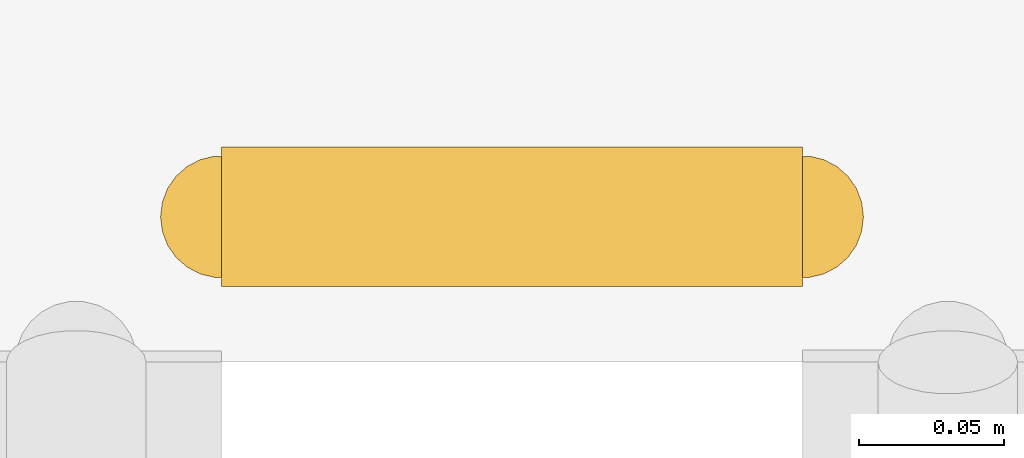
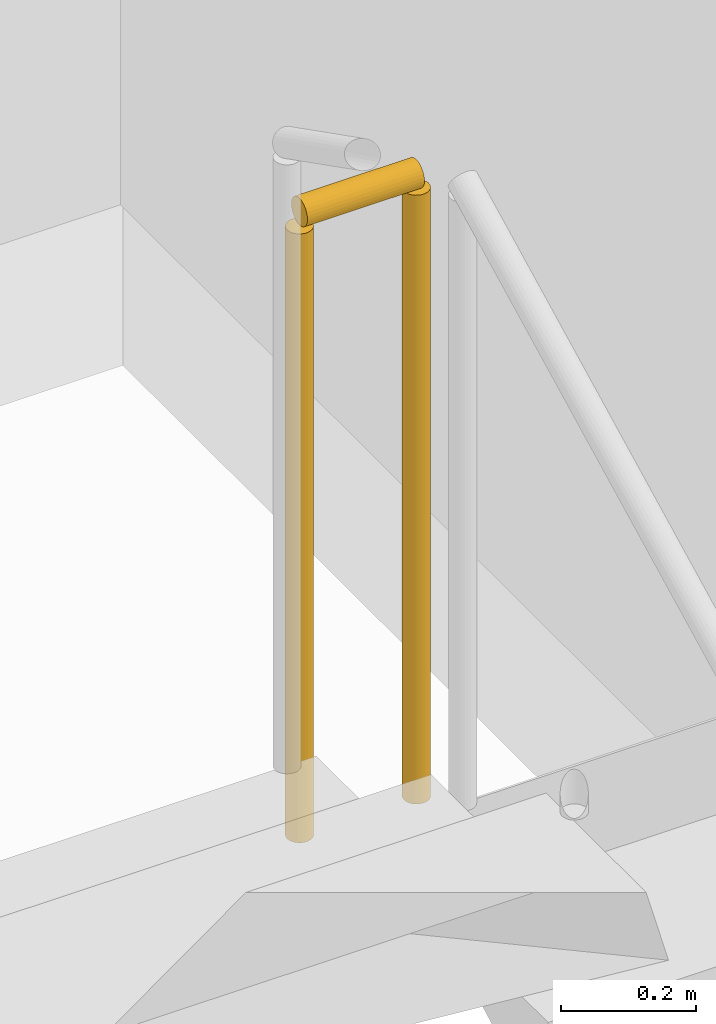
# One storey, part 30 of 31: 1 railing.
"""IFC4 building model written with IfcOpenShell, lengths in metres."""

import ifcopenshell
import ifcopenshell.guid

model = None  # the IFC model being written
_history = None  # IfcOwnerHistory: only IFC2X3 demands one
_inside = {}  # id of a spatial element -> (the spatial element, [elements in it])
_under = {}  # id of a project, library or spatial element -> (it, [spatial elements below it])
_declared = {}  # id of a project -> (the project, [libraries it declares])
_typed = {}  # id of a type object -> (the type object, [elements of that type])
_made_of = {}  # id of a material, layer set ... -> (it, [elements and type objects made of it])


def new_model(schema):
    """Start an empty IFC model of exactly this schema.

    Asked for "IFC4X3", IfcOpenShell would pick the latest addendum, in which some entities
    have other attributes; the version numbers below select the first issue.
    IFC2X3 requires an IfcOwnerHistory on every rooted entity: one is made here for all.
    """
    global model, _history
    if schema == "IFC4X3":
        model = ifcopenshell.file(schema_version=(4, 3, 0, 0))
    else:
        model = ifcopenshell.file(schema=schema)
    _inside.clear()
    _under.clear()
    _declared.clear()
    _typed.clear()
    _made_of.clear()
    _history = None
    if model.schema == "IFC2X3":
        org = make("IfcOrganization", Name="unknown")
        user = make(
            "IfcPersonAndOrganization",
            ThePerson=make("IfcPerson", FamilyName="unknown"),
            TheOrganization=org,
        )
        app = make(
            "IfcApplication",
            ApplicationDeveloper=org,
            Version="unknown",
            ApplicationFullName="unknown",
            ApplicationIdentifier="unknown",
        )
        _history = make(
            "IfcOwnerHistory",
            OwningUser=user,
            OwningApplication=app,
            ChangeAction="ADDED",
            CreationDate=0,
        )
    return model


def make(cls, **values):
    """One entity of the class cls with the attributes given. An attribute that is None is left unset."""
    return model.create_entity(
        cls, **{name: value for name, value in values.items() if value is not None}
    )


def rooted(cls, **values):
    """An entity with a GlobalId (a new one), such as an element, a storey or a relation."""
    return make(cls, GlobalId=ifcopenshell.guid.new(), OwnerHistory=_history, **values)


def si_unit(unit_type, name, prefix=None):
    """IfcSIUnit, for example si_unit("LENGTHUNIT", "METRE", prefix="MILLI")."""
    return make("IfcSIUnit", UnitType=unit_type, Prefix=prefix, Name=name)


def assignment(units):
    """IfcUnitAssignment: the units of a project."""
    return None if units is None else make("IfcUnitAssignment", Units=units)


def point(xyz):
    """IfcCartesianPoint."""
    return None if xyz is None else make("IfcCartesianPoint", Coordinates=xyz)


def direction(xyz):
    """IfcDirection."""
    return None if xyz is None else make("IfcDirection", DirectionRatios=xyz)


def frame(location, z_axis=None, x_axis=None):
    """IfcAxis2Placement3D, a coordinate frame: its origin and axes. An axis left out is left unset."""
    return make(
        "IfcAxis2Placement3D",
        Location=point(location),
        Axis=direction(z_axis),
        RefDirection=direction(x_axis),
    )


def frame_2d(location, x_axis=None):
    """IfcAxis2Placement2D, a coordinate frame in the plane: its origin and x axis."""
    return make(
        "IfcAxis2Placement2D", Location=point(location), RefDirection=direction(x_axis)
    )


def origin():
    """The frame at (0, 0, 0) with its axes left unset."""
    return frame((0.0, 0.0, 0.0))


def origin_2d():
    """The frame at (0, 0) in the plane with its x axis left unset."""
    return frame_2d((0.0, 0.0))


def place(relative_to, where):
    """IfcLocalPlacement: puts the frame where relative to a parent placement (None: the world)."""
    return make(
        "IfcLocalPlacement", PlacementRelTo=relative_to, RelativePlacement=where
    )


def context(
    kind, dimensions, precision=None, world=None, true_north=None, identifier=None
):
    """IfcGeometricRepresentationContext, for example the 3D "Model" context."""
    return make(
        "IfcGeometricRepresentationContext",
        ContextIdentifier=identifier,
        ContextType=kind,
        CoordinateSpaceDimension=dimensions,
        Precision=precision,
        WorldCoordinateSystem=world,
        TrueNorth=true_north,
    )


def subcontext(parent, identifier, kind, view, scale=None):
    """IfcGeometricRepresentationSubContext, for example "Body" below "Model"."""
    return make(
        "IfcGeometricRepresentationSubContext",
        ContextIdentifier=identifier,
        ContextType=kind,
        ParentContext=parent,
        TargetScale=scale,
        TargetView=view,
    )


def project(units=None, contexts=None):
    """IfcProject with its units and contexts."""
    return rooted(
        "IfcProject",
        Name="project",
        RepresentationContexts=contexts,
        UnitsInContext=assignment(units),
    )


def spatial(cls, under=None, at=None, **own):
    """A site, building, storey or space (cls), placed at a placement, below another one or the project."""
    s = rooted(cls, ObjectPlacement=at, **own)
    if under is not None:
        _under.setdefault(under.id(), (under, []))[1].append(s)
    return s


def profile(cls, at=None, kind="AREA", **sizes):
    """A parametric profile (cls). Its sizes go by their IFC names, for example OverallWidth=200.0."""
    return make(cls, ProfileType=kind, Position=at, **sizes)


def circle(**sizes):
    """IfcCircleProfileDef."""
    return profile("IfcCircleProfileDef", **sizes)


def extrude(swept, where, along, depth):
    """IfcExtrudedAreaSolid: the profile swept, set in the frame where, extruded along a direction by depth."""
    return make(
        "IfcExtrudedAreaSolid",
        SweptArea=swept,
        Position=where,
        ExtrudedDirection=direction(along),
        Depth=depth,
    )


def shape(context_of_items, identifier, shape_type, items):
    """IfcShapeRepresentation: the items that make up one representation, for example the "Body"."""
    return make(
        "IfcShapeRepresentation",
        ContextOfItems=context_of_items,
        RepresentationIdentifier=identifier,
        RepresentationType=shape_type,
        Items=items,
    )


def material(Name=None, Category=None):
    """IfcMaterial."""
    return make("IfcMaterial", Name=Name, Category=Category)


def made_of(thing, what):
    """Note that an element or type object is made of a material, layer set ...; save() writes the relation."""
    if what is not None:
        _made_of.setdefault(what.id(), (what, []))[1].append(thing)
    return thing


def type_object(cls, material=None, **own):
    """A type object (cls), such as IfcWallType, which elements share."""
    return made_of(rooted(cls, **own), material)


def element(
    cls,
    number,
    at=None,
    inside=None,
    cuts=None,
    type_object=None,
    material=None,
    context=None,
    identifier="Body",
    shape_type=None,
    held_by="IfcProductDefinitionShape",
    body=None,
    shapes=None,
    **own,
):
    """One element of the class cls, such as IfcWall. Its Tag is "e" and its number.

    at: its placement. inside: the storey or other place that contains it. cuts: it is an
    opening in that element (IfcRelVoidsElement). A single representation is given by context,
    identifier, shape_type and body (its items); several are given by shapes. held_by: the class
    of the entity that holds the representations. save() writes the other relations.
    """
    e = rooted(cls, Tag="e%d" % number, ObjectPlacement=at, **own)
    if body is not None:
        shapes = [shape(context, identifier, shape_type, body)]
    if shapes is not None:
        e.Representation = make(held_by, Representations=shapes)
    if inside is not None:
        _inside.setdefault(inside.id(), (inside, []))[1].append(e)
    if cuts is not None:
        rooted(
            "IfcRelVoidsElement", RelatingBuildingElement=cuts, RelatedOpeningElement=e
        )
    if type_object is not None:
        _typed.setdefault(type_object.id(), (type_object, []))[1].append(e)
    return made_of(e, material)


def aggregate(whole, parts):
    """IfcRelAggregates: a whole, such as a stair, and the parts it consists of."""
    return rooted("IfcRelAggregates", RelatingObject=whole, RelatedObjects=parts)


def save(model, path):
    """Write the relations noted so far, then the file.

    IfcRelAggregates (storeys below a building ...), IfcRelContainedInSpatialStructure (elements
    in a storey), IfcRelDefinesByType, IfcRelAssociatesMaterial and IfcRelDeclares: one each for
    every whole, place, type object, material and project.
    """
    for whole, parts in _under.values():
        aggregate(whole, parts)
    for where, things in _inside.values():
        rooted(
            "IfcRelContainedInSpatialStructure",
            RelatedElements=things,
            RelatingStructure=where,
        )
    for kind, things in _typed.values():
        rooted("IfcRelDefinesByType", RelatedObjects=things, RelatingType=kind)
    for what, things in _made_of.values():
        rooted("IfcRelAssociatesMaterial", RelatedObjects=things, RelatingMaterial=what)
    for by, libraries in _declared.values():
        rooted("IfcRelDeclares", RelatingContext=by, RelatedDefinitions=libraries)
    model.write(path)


model = new_model("IFC4")

# Units and contexts
model_context = context("Model", 3, precision=1e-05, world=origin(), true_north=direction((0.0, 1.0)))
body_context = subcontext(model_context, "Body", "Model", "MODEL_VIEW")
ifc_project = project(units=[si_unit("LENGTHUNIT", "METRE"), si_unit("AREAUNIT", "SQUARE_METRE"), si_unit("VOLUMEUNIT", "CUBIC_METRE"), si_unit("PLANEANGLEUNIT", "RADIAN"), si_unit("MASSUNIT", "GRAM", prefix="KILO")], contexts=[model_context])

# Site, building, storey
site_placement = place(None, origin())
site = spatial("IfcSite", under=ifc_project, at=site_placement, CompositionType="ELEMENT")
building_placement = place(site_placement, origin())
building = spatial("IfcBuilding", under=site, at=building_placement, Name="Nahalor Promenade Grand Hotel", CompositionType="ELEMENT")
storey_placement = place(building_placement, frame((0.0, 0.0, 327.14990234375)))
storey = spatial("IfcBuildingStorey", under=building, at=storey_placement, Name="L84", CompositionType="ELEMENT", Elevation=327.14990234375)

# Railing
ifc_material = material(Name="Steel S355JR", Category="steel")
railing_type = type_object("IfcRailingType", Name="Steel Stair Guardrail 1150 mm", PredefinedType="GUARDRAIL", material=ifc_material)
railing_placement = place(storey_placement, frame((5.699951171875, 11.550048828125, 1.900146484375)))
element("IfcRailing", 1, at=railing_placement, inside=storey, type_object=railing_type, Name="L84 ST1 stair guard 2", PredefinedType="GUARDRAIL", context=body_context, shape_type="SweptSolid", body=[
    extrude(circle(Radius=0.024048, at=origin_2d()), frame((0.0, 0.0, 1.1259765625), z_axis=(-1.0, 0.0, 0.0), x_axis=(0.0, -1.0, 0.0)), (0.0, 0.0, 1.0), 0.199951171875),
    extrude(circle(Radius=0.020996, at=origin_2d()), origin(), (0.0, 0.0, 1.0), 1.099853515625),
    extrude(circle(Radius=0.020996, at=origin_2d()), frame((-0.199951171875, 0.0, 0.0)), (0.0, 0.0, 1.0), 1.099853515625),
])

save(model, "model.ifc")
